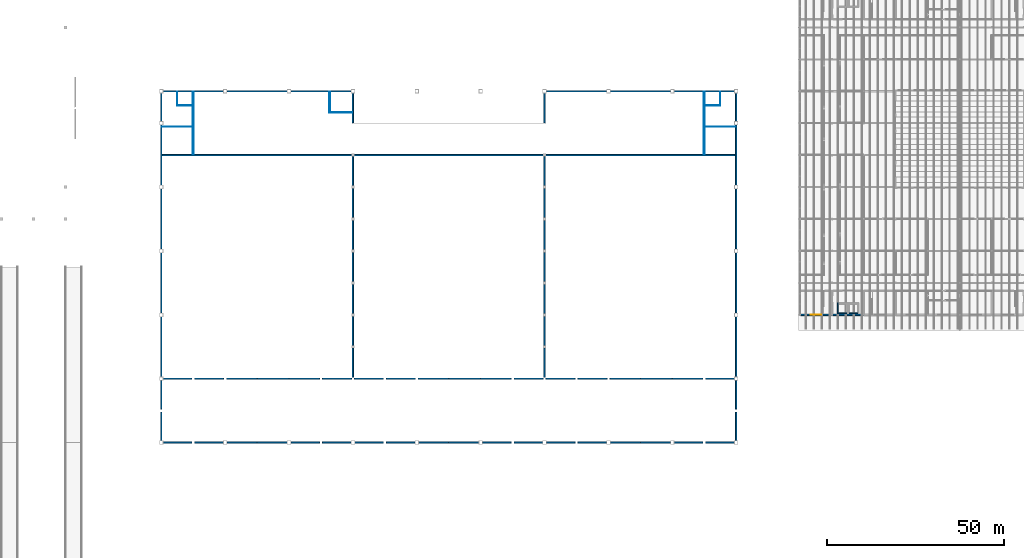
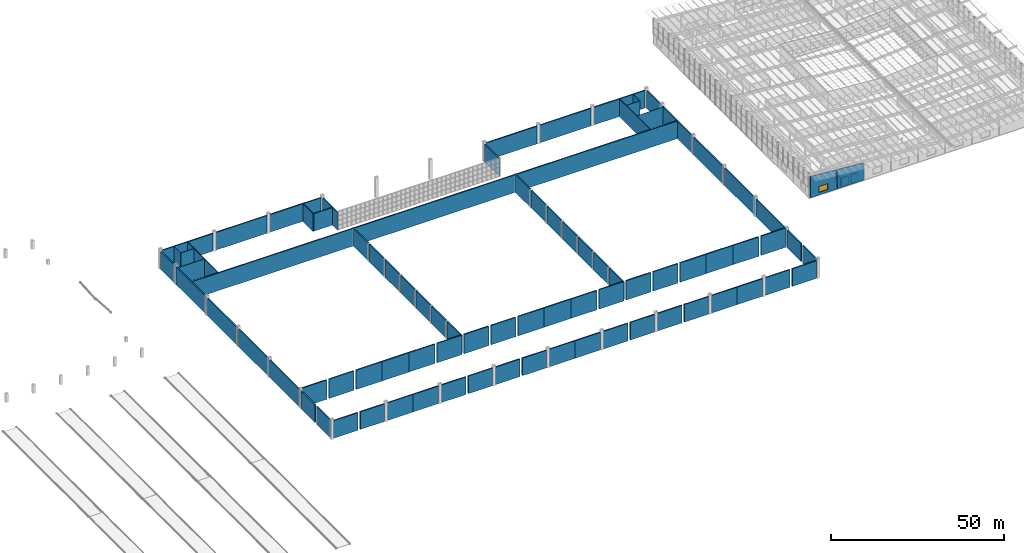
# One storey, part 69 of 85: 88 walls, 1 window, 1 opening.
"""IFC4 building model written with IfcOpenShell, lengths in metres."""

from ifc_helpers import new_model, si_unit, direction, frame, frame_2d, origin, place, context, subcontext, project, spatial, polyline, rectangle, outline, extrude, material, layer, layer_set, type_object, element, fill, save


model = new_model("IFC4")

# Units and contexts
model_context = context("Model", 3, precision=1e-05, world=origin(), true_north=direction((0.0, 1.0)))
body_context = subcontext(model_context, "Body", "Model", "MODEL_VIEW")
ifc_project = project(units=[si_unit("LENGTHUNIT", "METRE"), si_unit("AREAUNIT", "SQUARE_METRE"), si_unit("VOLUMEUNIT", "CUBIC_METRE"), si_unit("PLANEANGLEUNIT", "RADIAN"), si_unit("MASSUNIT", "GRAM", prefix="KILO")], contexts=[model_context])

# Site, building, storey
site_placement = place(None, origin())
site = spatial("IfcSite", under=ifc_project, at=site_placement, CompositionType="ELEMENT")
building_placement = place(site_placement, origin())
building = spatial("IfcBuilding", under=site, at=building_placement, Name="Opaline Strait Convention Centre", CompositionType="ELEMENT")
storey_placement = place(building_placement, frame((0.0, 0.0, 17.0)))
storey = spatial("IfcBuildingStorey", under=building, at=storey_placement, Name="L03", CompositionType="ELEMENT", Elevation=17.0)

# Wall, opening, window
ifc_material_1 = material(Name="Concrete C40 precast", Category="concrete")
ifc_layer_1 = layer(ifc_material_1, 0.10009765625)
ifc_material_2 = material(Name="Mineral wool insulation")
ifc_layer_2 = layer(ifc_material_2, 0.14990234375)
ifc_layer_3 = layer(ifc_material_1, 0.14990234375)
ifc_layer_set_1 = layer_set([ifc_layer_1, ifc_layer_2, ifc_layer_3], Name="Concrete C40 precast, Mineral wool insulation, Concrete C40 precast")
wall_type_1 = type_object("IfcWallType", Name="External wall 400 insulated precast EI60", PredefinedType="STANDARD", material=ifc_layer_set_1)
wall_1_placement = place(storey_placement, frame((279.14990234375, 90.0, 0.0), z_axis=(0.0, 0.0, 1.0), x_axis=(1.0, 0.0, 0.0)))
wall_1 = element("IfcWall", 1, at=wall_1_placement, inside=storey, type_object=wall_type_1, Name="External wall S L03 32/L", PredefinedType="STANDARD", context=body_context, shape_type="SweptSolid", body=[
    extrude(outline(polyline([(0.0, 0.0), (8.7001953125, 0.0), (8.699951171875, 6.844970703125), (0.0, 7.52978515625), (0.0, 0.0)])), frame((0.0, 0.199951171875, 0.0), z_axis=(0.0, -1.0, 0.0), x_axis=(1.0, 0.0, 0.0)), (0.0, 0.0, 1.0), 0.39990234375),
])
opening_placement = place(wall_1_placement, frame((2.85009765625, 0.0, 0.89990234375)))
opening = element("IfcOpeningElement", 2, at=opening_placement, cuts=wall_1, Name="Opening MW2", PredefinedType="OPENING", context=body_context, shape_type="SweptSolid", body=[
    extrude(rectangle(XDim=3.0, YDim=2.10009765625, at=frame_2d((1.5, 1.050048828125))), frame((0.0, 0.2099609375, 0.0), z_axis=(0.0, -1.0, 0.0), x_axis=(1.0, 0.0, 0.0)), (0.0, 0.0, 1.0), 0.419921875),
])
ifc_material_3 = material(Name="Aluminium framed double glazing", Category="aluminium")
window_type = type_object("IfcWindowType", Name="Window 3000 x 2100", PartitioningType="TRIPLE_PANEL_VERTICAL", PredefinedType="WINDOW", material=ifc_material_3)
window_placement = place(opening_placement, origin())
window = element("IfcWindow", 3, at=window_placement, inside=storey, type_object=window_type, Name="Window Escape Stair S1 S", OverallHeight=2.10009765625, OverallWidth=3.0, PartitioningType="TRIPLE_PANEL_VERTICAL", PredefinedType="WINDOW", context=body_context, shape_type="SweptSolid", body=[
    extrude(rectangle(XDim=3.0, YDim=2.10009765625, at=frame_2d((1.5, 1.050048828125))), frame((0.0, 0.030029296875, 0.0), z_axis=(0.0, -1.0, 0.0), x_axis=(1.0, 0.0, 0.0)), (0.0, 0.0, 1.0), 0.06005859375),
])
fill(opening, window)

# Walls
wall_2_placement = place(storey_placement, frame((288.14990234375, 90.0, 0.0), z_axis=(0.0, 0.0, 1.0), x_axis=(1.0, 0.0, 0.0)))
element("IfcWall", 4, at=wall_2_placement, inside=storey, type_object=wall_type_1, Name="External wall S L03 33/L", PredefinedType="STANDARD", context=body_context, shape_type="SweptSolid", body=[
    extrude(outline(polyline([(0.0, 0.0), (8.7001953125, 0.0), (8.699951171875, 6.13671875), (0.0, 6.821533203125), (0.0, 0.0)])), frame((0.0, 0.199951171875, 0.0), z_axis=(0.0, -1.0, 0.0), x_axis=(1.0, 0.0, 0.0)), (0.0, 0.0, 1.0), 0.39990234375),
])
ifc_material_4 = material(Name="Concrete C40", Category="concrete")
ifc_layer_4 = layer(ifc_material_4, 0.25)
ifc_layer_5 = layer(ifc_material_2, 0.10009765625)
ifc_material_5 = material(Name="Gypsum board lining")
ifc_layer_6 = layer(ifc_material_5, 0.050048828125)
ifc_layer_set_2 = layer_set([ifc_layer_4, ifc_layer_5, ifc_layer_6], Name="Concrete C40, Mineral wool insulation, Gypsum board lining")
wall_type_2 = type_object("IfcWallType", Name="External wall RC 400 insulated", PredefinedType="SOLIDWALL", material=ifc_layer_set_2)
for number, where, z_axis, x_axis, name in (
    (5, (99.5, 54.0, 0.0), (0.0, 0.0, 1.0), (1.0, 0.0, 0.0), "External wall S1"),
    (6, (108.39990234375, 54.0, 0.0), (0.0, 0.0, 1.0), (1.0, 0.0, 0.0), "External wall S2"),
):
    element("IfcWall", number, at=place(storey_placement, frame(where, z_axis=z_axis, x_axis=x_axis)), inside=storey, type_object=wall_type_2, Name=name, PredefinedType="SOLIDWALL", context=body_context, shape_type="SweptSolid", body=[
        extrude(rectangle(XDim=8.10009765625, YDim=0.39990234375, at=frame_2d((4.050048828125, 0.0))), origin(), (0.0, 0.0, 1.0), 6.199951171875),
    ])
for number, where, z_axis, x_axis, name in (
    (7, (117.5, 54.0, 0.0), (0.0, 0.0, 1.0), (1.0, 0.0, 0.0), "External wall S3"),
    (8, (126.0, 54.0, 0.0), (0.0, 0.0, 1.0), (1.0, 0.0, 0.0), "External wall S4"),
):
    element("IfcWall", number, at=place(storey_placement, frame(where, z_axis=z_axis, x_axis=x_axis)), inside=storey, type_object=wall_type_2, Name=name, PredefinedType="SOLIDWALL", context=body_context, shape_type="SweptSolid", body=[
        extrude(rectangle(XDim=8.5, YDim=0.39990234375, at=frame_2d((4.25, 0.0))), origin(), (0.0, 0.0, 1.0), 6.199951171875),
    ])
for number, where, z_axis, x_axis, name in (
    (9, (135.5, 54.0, 0.0), (0.0, 0.0, 1.0), (1.0, 0.0, 0.0), "External wall S5"),
    (10, (144.39990234375, 54.0, 0.0), (0.0, 0.0, 1.0), (1.0, 0.0, 0.0), "External wall S6"),
    (11, (153.5, 54.0, 0.0), (0.0, 0.0, 1.0), (1.0, 0.0, 0.0), "External wall S7"),
    (12, (162.39990234375, 54.0, 0.0), (0.0, 0.0, 1.0), (1.0, 0.0, 0.0), "External wall S8"),
):
    element("IfcWall", number, at=place(storey_placement, frame(where, z_axis=z_axis, x_axis=x_axis)), inside=storey, type_object=wall_type_2, Name=name, PredefinedType="SOLIDWALL", context=body_context, shape_type="SweptSolid", body=[
        extrude(rectangle(XDim=8.10009765625, YDim=0.39990234375, at=frame_2d((4.050048828125, 0.0))), origin(), (0.0, 0.0, 1.0), 6.199951171875),
    ])
for number, where, z_axis, x_axis, name in (
    (13, (171.5, 54.0, 0.0), (0.0, 0.0, 1.0), (1.0, 0.0, 0.0), "External wall S9"),
    (14, (180.0, 54.0, 0.0), (0.0, 0.0, 1.0), (1.0, 0.0, 0.0), "External wall S10"),
):
    element("IfcWall", number, at=place(storey_placement, frame(where, z_axis=z_axis, x_axis=x_axis)), inside=storey, type_object=wall_type_2, Name=name, PredefinedType="SOLIDWALL", context=body_context, shape_type="SweptSolid", body=[
        extrude(rectangle(XDim=8.5, YDim=0.39990234375, at=frame_2d((4.25, 0.0))), origin(), (0.0, 0.0, 1.0), 6.199951171875),
    ])
for number, where, z_axis, x_axis, name in (
    (15, (189.5, 54.0, 0.0), (0.0, 0.0, 1.0), (1.0, 0.0, 0.0), "External wall S11"),
    (16, (198.39990234375, 54.0, 0.0), (0.0, 0.0, 1.0), (1.0, 0.0, 0.0), "External wall S12"),
    (17, (207.5, 54.0, 0.0), (0.0, 0.0, 1.0), (1.0, 0.0, 0.0), "External wall S13"),
    (18, (216.39990234375, 54.0, 0.0), (0.0, 0.0, 1.0), (1.0, 0.0, 0.0), "External wall S14"),
):
    element("IfcWall", number, at=place(storey_placement, frame(where, z_axis=z_axis, x_axis=x_axis)), inside=storey, type_object=wall_type_2, Name=name, PredefinedType="SOLIDWALL", context=body_context, shape_type="SweptSolid", body=[
        extrude(rectangle(XDim=8.10009765625, YDim=0.39990234375, at=frame_2d((4.050048828125, 0.0))), origin(), (0.0, 0.0, 1.0), 6.199951171875),
    ])
for number, where, z_axis, x_axis, name in (
    (19, (225.5, 54.0, 0.0), (0.0, 0.0, 1.0), (1.0, 0.0, 0.0), "External wall S15"),
    (20, (234.0, 54.0, 0.0), (0.0, 0.0, 1.0), (1.0, 0.0, 0.0), "External wall S16"),
):
    element("IfcWall", number, at=place(storey_placement, frame(where, z_axis=z_axis, x_axis=x_axis)), inside=storey, type_object=wall_type_2, Name=name, PredefinedType="SOLIDWALL", context=body_context, shape_type="SweptSolid", body=[
        extrude(rectangle(XDim=8.5, YDim=0.39990234375, at=frame_2d((4.25, 0.0))), origin(), (0.0, 0.0, 1.0), 6.199951171875),
    ])
for number, where, z_axis, x_axis, name in (
    (21, (243.5, 54.0, 0.0), (0.0, 0.0, 1.0), (1.0, 0.0, 0.0), "External wall S17"),
    (22, (252.39990234375, 54.0, 0.0), (0.0, 0.0, 1.0), (1.0, 0.0, 0.0), "External wall S18"),
):
    element("IfcWall", number, at=place(storey_placement, frame(where, z_axis=z_axis, x_axis=x_axis)), inside=storey, type_object=wall_type_2, Name=name, PredefinedType="SOLIDWALL", context=body_context, shape_type="SweptSolid", body=[
        extrude(rectangle(XDim=8.10009765625, YDim=0.39990234375, at=frame_2d((4.050048828125, 0.0))), origin(), (0.0, 0.0, 1.0), 6.199951171875),
    ])
for number, where, z_axis, x_axis, name in (
    (23, (99.5, 153.0, 0.0), (0.0, 0.0, 1.0), (1.0, 0.0, 0.0), "External wall N1"),
    (24, (117.5, 153.0, 0.0), (0.0, 0.0, 1.0), (1.0, 0.0, 0.0), "External wall N2"),
    (25, (207.5, 153.0, 0.0), (0.0, 0.0, 1.0), (1.0, 0.0, 0.0), "External wall N4"),
    (26, (225.5, 153.0, 0.0), (0.0, 0.0, 1.0), (1.0, 0.0, 0.0), "External wall N5"),
    (27, (243.5, 153.0, 0.0), (0.0, 0.0, 1.0), (1.0, 0.0, 0.0), "External wall N6"),
):
    element("IfcWall", number, at=place(storey_placement, frame(where, z_axis=z_axis, x_axis=x_axis)), inside=storey, type_object=wall_type_2, Name=name, PredefinedType="SOLIDWALL", context=body_context, shape_type="SweptSolid", body=[
        extrude(rectangle(XDim=17.0, YDim=0.39990234375, at=frame_2d((8.5, 0.0))), origin(), (0.0, 0.0, 1.0), 6.199951171875),
    ])
wall_3_placement = place(storey_placement, frame((99.0, 54.5, 0.0), z_axis=(0.0, 0.0, 1.0), x_axis=(0.0, 1.0, 0.0)))
element("IfcWall", 28, at=wall_3_placement, inside=storey, type_object=wall_type_2, Name="External wall W1", PredefinedType="SOLIDWALL", context=body_context, shape_type="SweptSolid", body=[
    extrude(rectangle(XDim=8.10009765625, YDim=0.39990234375, at=frame_2d((4.050048828125, 0.0))), origin(), (0.0, 0.0, 1.0), 6.199951171875),
])
for number, where, z_axis, x_axis, name in (
    (29, (99.0, 72.5, 0.0), (0.0, 0.0, 1.0), (0.0, 1.0, 0.0), "External wall W3"),
    (30, (99.0, 90.5, 0.0), (0.0, 0.0, 1.0), (0.0, 1.0, 0.0), "External wall W4"),
    (31, (99.0, 108.5, 0.0), (0.0, 0.0, 1.0), (0.0, 1.0, 0.0), "External wall W5"),
    (32, (99.0, 126.5, 0.0), (0.0, 0.0, 1.0), (0.0, 1.0, 0.0), "External wall W6"),
):
    element("IfcWall", number, at=place(storey_placement, frame(where, z_axis=z_axis, x_axis=x_axis)), inside=storey, type_object=wall_type_2, Name=name, PredefinedType="SOLIDWALL", context=body_context, shape_type="SweptSolid", body=[
        extrude(rectangle(XDim=17.0, YDim=0.39990234375, at=frame_2d((8.5, 0.0))), origin(), (0.0, 0.0, 1.0), 6.199951171875),
    ])
wall_4_placement = place(storey_placement, frame((99.0, 144.5, 0.0), z_axis=(0.0, 0.0, 1.0), x_axis=(0.0, 1.0, 0.0)))
element("IfcWall", 33, at=wall_4_placement, inside=storey, type_object=wall_type_2, Name="External wall W7", PredefinedType="SOLIDWALL", context=body_context, shape_type="SweptSolid", body=[
    extrude(rectangle(XDim=8.0, YDim=0.39990234375, at=frame_2d((4.0, 0.0))), origin(), (0.0, 0.0, 1.0), 6.199951171875),
])
wall_5_placement = place(storey_placement, frame((261.0, 54.5, 0.0), z_axis=(0.0, 0.0, 1.0), x_axis=(0.0, 1.0, 0.0)))
element("IfcWall", 34, at=wall_5_placement, inside=storey, type_object=wall_type_2, Name="External wall E1", PredefinedType="SOLIDWALL", context=body_context, shape_type="SweptSolid", body=[
    extrude(rectangle(XDim=8.10009765625, YDim=0.39990234375, at=frame_2d((4.050048828125, 0.0))), origin(), (0.0, 0.0, 1.0), 6.199951171875),
])
for number, where, z_axis, x_axis, name in (
    (35, (261.0, 72.5, 0.0), (0.0, 0.0, 1.0), (0.0, 1.0, 0.0), "External wall E3"),
    (36, (261.0, 90.5, 0.0), (0.0, 0.0, 1.0), (0.0, 1.0, 0.0), "External wall E4"),
    (37, (261.0, 108.5, 0.0), (0.0, 0.0, 1.0), (0.0, 1.0, 0.0), "External wall E5"),
    (38, (261.0, 126.5, 0.0), (0.0, 0.0, 1.0), (0.0, 1.0, 0.0), "External wall E6"),
):
    element("IfcWall", number, at=place(storey_placement, frame(where, z_axis=z_axis, x_axis=x_axis)), inside=storey, type_object=wall_type_2, Name=name, PredefinedType="SOLIDWALL", context=body_context, shape_type="SweptSolid", body=[
        extrude(rectangle(XDim=17.0, YDim=0.39990234375, at=frame_2d((8.5, 0.0))), origin(), (0.0, 0.0, 1.0), 6.199951171875),
    ])
wall_6_placement = place(storey_placement, frame((261.0, 144.5, 0.0), z_axis=(0.0, 0.0, 1.0), x_axis=(0.0, 1.0, 0.0)))
element("IfcWall", 39, at=wall_6_placement, inside=storey, type_object=wall_type_2, Name="External wall E7", PredefinedType="SOLIDWALL", context=body_context, shape_type="SweptSolid", body=[
    extrude(rectangle(XDim=8.0, YDim=0.39990234375, at=frame_2d((4.0, 0.0))), origin(), (0.0, 0.0, 1.0), 6.199951171875),
])
wall_7_placement = place(storey_placement, frame((207.0, 144.030029296875, 0.0), z_axis=(0.0, 0.0, 1.0), x_axis=(0.0, 1.0, 0.0)))
element("IfcWall", 40, at=wall_7_placement, inside=storey, type_object=wall_type_2, Name="Recess side wall E", PredefinedType="SOLIDWALL", context=body_context, shape_type="SweptSolid", body=[
    extrude(rectangle(XDim=8.469970703125, YDim=0.39990234375, at=frame_2d((4.23486328125, 0.0))), origin(), (0.0, 0.0, 1.0), 6.199951171875),
])
ifc_layer_7 = layer(ifc_material_4, 0.300048828125)
ifc_layer_8 = layer(ifc_material_2, 0.050048828125)
ifc_layer_9 = layer(ifc_material_5, 0.050048828125)
ifc_layer_set_3 = layer_set([ifc_layer_7, ifc_layer_8, ifc_layer_9], Name="Concrete C40, Mineral wool insulation, Gypsum board lining")
wall_type_3 = type_object("IfcWallType", Name="External wall RC 400 stair core", PredefinedType="SOLIDWALL", material=ifc_layer_set_3)
wall_8_placement = place(storey_placement, frame((135.5, 153.0, 0.0), z_axis=(0.0, 0.0, 1.0), x_axis=(1.0, 0.0, 0.0)))
element("IfcWall", 41, at=wall_8_placement, inside=storey, type_object=wall_type_3, Name="External wall N3", PredefinedType="SOLIDWALL", context=body_context, shape_type="SweptSolid", body=[
    extrude(rectangle(XDim=17.0, YDim=0.39990234375, at=frame_2d((8.5, 0.0))), origin(), (0.0, 0.0, 1.0), 6.199951171875),
])
for number, where, z_axis, x_axis, name in (
    (42, (99.0, 63.39990234375, 0.0), (0.0, 0.0, 1.0), (0.0, 1.0, 0.0), "External wall W2"),
    (43, (261.0, 63.39990234375, 0.0), (0.0, 0.0, 1.0), (0.0, 1.0, 0.0), "External wall E2"),
):
    element("IfcWall", number, at=place(storey_placement, frame(where, z_axis=z_axis, x_axis=x_axis)), inside=storey, type_object=wall_type_3, Name=name, PredefinedType="SOLIDWALL", context=body_context, shape_type="SweptSolid", body=[
        extrude(rectangle(XDim=8.10009765625, YDim=0.39990234375, at=frame_2d((4.050048828125, 0.0))), origin(), (0.0, 0.0, 1.0), 6.199951171875),
    ])
wall_9_placement = place(storey_placement, frame((153.0, 144.030029296875, 0.0), z_axis=(0.0, 0.0, 1.0), x_axis=(0.0, 1.0, 0.0)))
element("IfcWall", 44, at=wall_9_placement, inside=storey, type_object=wall_type_3, Name="Recess side wall W", PredefinedType="SOLIDWALL", context=body_context, shape_type="SweptSolid", body=[
    extrude(rectangle(XDim=8.469970703125, YDim=0.39990234375, at=frame_2d((4.23486328125, 0.0))), origin(), (0.0, 0.0, 1.0), 6.199951171875),
])
ifc_layer_10 = layer(ifc_material_4, 0.39990234375)
ifc_layer_set_4 = layer_set([ifc_layer_10], Name="Concrete C40")
wall_type_4 = type_object("IfcWallType", Name="Fire wall RC 400 3 h", PredefinedType="SOLIDWALL", material=ifc_layer_set_4)
for number, where, z_axis, x_axis, name in (
    (45, (153.0, 72.39990234375, 0.0), (0.0, 0.0, 1.0), (0.0, 1.0, 0.0), "Fire wall 153 panel 1"),
    (46, (153.0, 81.39990234375, 0.0), (0.0, 0.0, 1.0), (0.0, 1.0, 0.0), "Fire wall 153 panel 2"),
    (47, (153.0, 90.39990234375, 0.0), (0.0, 0.0, 1.0), (0.0, 1.0, 0.0), "Fire wall 153 panel 3"),
    (48, (153.0, 99.39990234375, 0.0), (0.0, 0.0, 1.0), (0.0, 1.0, 0.0), "Fire wall 153 panel 4"),
    (49, (153.0, 108.39990234375, 0.0), (0.0, 0.0, 1.0), (0.0, 1.0, 0.0), "Fire wall 153 panel 5"),
    (50, (153.0, 117.39990234375, 0.0), (0.0, 0.0, 1.0), (0.0, 1.0, 0.0), "Fire wall 153 panel 6"),
    (51, (153.0, 126.39990234375, 0.0), (0.0, 0.0, 1.0), (0.0, 1.0, 0.0), "Fire wall 153 panel 7"),
    (52, (207.0, 72.39990234375, 0.0), (0.0, 0.0, 1.0), (0.0, 1.0, 0.0), "Fire wall 207 panel 1"),
    (53, (207.0, 81.39990234375, 0.0), (0.0, 0.0, 1.0), (0.0, 1.0, 0.0), "Fire wall 207 panel 2"),
    (54, (207.0, 90.39990234375, 0.0), (0.0, 0.0, 1.0), (0.0, 1.0, 0.0), "Fire wall 207 panel 3"),
    (55, (207.0, 99.39990234375, 0.0), (0.0, 0.0, 1.0), (0.0, 1.0, 0.0), "Fire wall 207 panel 4"),
    (56, (207.0, 108.39990234375, 0.0), (0.0, 0.0, 1.0), (0.0, 1.0, 0.0), "Fire wall 207 panel 5"),
    (57, (207.0, 117.39990234375, 0.0), (0.0, 0.0, 1.0), (0.0, 1.0, 0.0), "Fire wall 207 panel 6"),
    (58, (207.0, 126.39990234375, 0.0), (0.0, 0.0, 1.0), (0.0, 1.0, 0.0), "Fire wall 207 panel 7"),
):
    element("IfcWall", number, at=place(storey_placement, frame(where, z_axis=z_axis, x_axis=x_axis)), inside=storey, type_object=wall_type_4, Name=name, PredefinedType="SOLIDWALL", context=body_context, shape_type="SweptSolid", body=[
        extrude(rectangle(XDim=8.2001953125, YDim=0.39990234375, at=frame_2d((4.10009765625, 0.0))), origin(), (0.0, 0.0, 1.0), 6.199951171875),
    ])
ifc_layer_11 = layer(ifc_material_4, 0.300048828125)
ifc_material_6 = material(Name="Cement plaster")
ifc_layer_12 = layer(ifc_material_6, 0.050048828125)
ifc_layer_13 = layer(ifc_material_6, 0.050048828125)
ifc_layer_set_5 = layer_set([ifc_layer_11, ifc_layer_12, ifc_layer_13], Name="Concrete C40, Cement plaster, Cement plaster")
wall_type_5 = type_object("IfcWallType", Name="Hall compartment wall 400", PredefinedType="SOLIDWALL", material=ifc_layer_set_5)
wall_10_placement = place(storey_placement, frame((99.5, 72.0, 0.0), z_axis=(0.0, 0.0, 1.0), x_axis=(1.0, 0.0, 0.0)))
element("IfcWall", 59, at=wall_10_placement, inside=storey, type_object=wall_type_5, Name="Hall south wall", PredefinedType="SOLIDWALL", context=body_context, shape_type="SweptSolid", body=[
    extrude(rectangle(XDim=8.10009765625, YDim=0.39990234375, at=frame_2d((4.050048828125, 0.0))), origin(), (0.0, 0.0, 1.0), 6.8125),
])
wall_11_placement = place(storey_placement, frame((108.39990234375, 72.0, 0.0), z_axis=(0.0, 0.0, 1.0), x_axis=(1.0, 0.0, 0.0)))
element("IfcWall", 60, at=wall_11_placement, inside=storey, type_object=wall_type_5, Name="Hall south wall", PredefinedType="SOLIDWALL", context=body_context, shape_type="SweptSolid", body=[
    extrude(rectangle(XDim=8.2001953125, YDim=0.39990234375, at=frame_2d((4.10009765625, 0.0))), origin(), (0.0, 0.0, 1.0), 6.8125),
])
wall_12_placement = place(storey_placement, frame((117.39990234375, 72.0, 0.0), z_axis=(0.0, 0.0, 1.0), x_axis=(1.0, 0.0, 0.0)))
element("IfcWall", 61, at=wall_12_placement, inside=storey, type_object=wall_type_5, Name="Hall south wall", PredefinedType="SOLIDWALL", context=body_context, shape_type="SweptSolid", body=[
    extrude(rectangle(XDim=8.60009765625, YDim=0.39990234375, at=frame_2d((4.300048828125, 0.0))), origin(), (0.0, 0.0, 1.0), 6.825439453125),
])
wall_13_placement = place(storey_placement, frame((126.0, 72.0, 0.0), z_axis=(0.0, 0.0, 1.0), x_axis=(1.0, 0.0, 0.0)))
element("IfcWall", 62, at=wall_13_placement, inside=storey, type_object=wall_type_5, Name="Hall south wall", PredefinedType="SOLIDWALL", context=body_context, shape_type="SweptSolid", body=[
    extrude(rectangle(XDim=9.0, YDim=0.39990234375, at=frame_2d((4.5, 0.0))), origin(), (0.0, 0.0, 1.0), 6.825439453125),
])
wall_14_placement = place(storey_placement, frame((135.0, 72.0, 0.0), z_axis=(0.0, 0.0, 1.0), x_axis=(1.0, 0.0, 0.0)))
element("IfcWall", 63, at=wall_14_placement, inside=storey, type_object=wall_type_5, Name="Hall south wall", PredefinedType="SOLIDWALL", context=body_context, shape_type="SweptSolid", body=[
    extrude(rectangle(XDim=8.60009765625, YDim=0.39990234375, at=frame_2d((4.300048828125, 0.0))), origin(), (0.0, 0.0, 1.0), 6.825439453125),
])
for number, where, z_axis, x_axis, name in (
    (64, (144.39990234375, 72.0, 0.0), (0.0, 0.0, 1.0), (1.0, 0.0, 0.0), "Hall south wall"),
    (65, (153.39990234375, 72.0, 0.0), (0.0, 0.0, 1.0), (1.0, 0.0, 0.0), "Hall south wall"),
    (66, (162.39990234375, 72.0, 0.0), (0.0, 0.0, 1.0), (1.0, 0.0, 0.0), "Hall south wall"),
):
    element("IfcWall", number, at=place(storey_placement, frame(where, z_axis=z_axis, x_axis=x_axis)), inside=storey, type_object=wall_type_5, Name=name, PredefinedType="SOLIDWALL", context=body_context, shape_type="SweptSolid", body=[
        extrude(rectangle(XDim=8.2001953125, YDim=0.39990234375, at=frame_2d((4.10009765625, 0.0))), origin(), (0.0, 0.0, 1.0), 6.825439453125),
    ])
wall_15_placement = place(storey_placement, frame((171.39990234375, 72.0, 0.0), z_axis=(0.0, 0.0, 1.0), x_axis=(1.0, 0.0, 0.0)))
element("IfcWall", 67, at=wall_15_placement, inside=storey, type_object=wall_type_5, Name="Hall south wall", PredefinedType="SOLIDWALL", context=body_context, shape_type="SweptSolid", body=[
    extrude(rectangle(XDim=8.60009765625, YDim=0.39990234375, at=frame_2d((4.300048828125, 0.0))), origin(), (0.0, 0.0, 1.0), 6.825439453125),
])
wall_16_placement = place(storey_placement, frame((180.0, 72.0, 0.0), z_axis=(0.0, 0.0, 1.0), x_axis=(1.0, 0.0, 0.0)))
element("IfcWall", 68, at=wall_16_placement, inside=storey, type_object=wall_type_5, Name="Hall south wall", PredefinedType="SOLIDWALL", context=body_context, shape_type="SweptSolid", body=[
    extrude(rectangle(XDim=9.0, YDim=0.39990234375, at=frame_2d((4.5, 0.0))), origin(), (0.0, 0.0, 1.0), 6.825439453125),
])
wall_17_placement = place(storey_placement, frame((189.0, 72.0, 0.0), z_axis=(0.0, 0.0, 1.0), x_axis=(1.0, 0.0, 0.0)))
element("IfcWall", 69, at=wall_17_placement, inside=storey, type_object=wall_type_5, Name="Hall south wall", PredefinedType="SOLIDWALL", context=body_context, shape_type="SweptSolid", body=[
    extrude(rectangle(XDim=8.60009765625, YDim=0.39990234375, at=frame_2d((4.300048828125, 0.0))), origin(), (0.0, 0.0, 1.0), 6.825439453125),
])
for number, where, z_axis, x_axis, name in (
    (70, (198.39990234375, 72.0, 0.0), (0.0, 0.0, 1.0), (1.0, 0.0, 0.0), "Hall south wall"),
    (71, (207.39990234375, 72.0, 0.0), (0.0, 0.0, 1.0), (1.0, 0.0, 0.0), "Hall south wall"),
    (72, (216.39990234375, 72.0, 0.0), (0.0, 0.0, 1.0), (1.0, 0.0, 0.0), "Hall south wall"),
):
    element("IfcWall", number, at=place(storey_placement, frame(where, z_axis=z_axis, x_axis=x_axis)), inside=storey, type_object=wall_type_5, Name=name, PredefinedType="SOLIDWALL", context=body_context, shape_type="SweptSolid", body=[
        extrude(rectangle(XDim=8.2001953125, YDim=0.39990234375, at=frame_2d((4.10009765625, 0.0))), origin(), (0.0, 0.0, 1.0), 6.825439453125),
    ])
wall_18_placement = place(storey_placement, frame((225.39990234375, 72.0, 0.0), z_axis=(0.0, 0.0, 1.0), x_axis=(1.0, 0.0, 0.0)))
element("IfcWall", 73, at=wall_18_placement, inside=storey, type_object=wall_type_5, Name="Hall south wall", PredefinedType="SOLIDWALL", context=body_context, shape_type="SweptSolid", body=[
    extrude(rectangle(XDim=8.60009765625, YDim=0.39990234375, at=frame_2d((4.300048828125, 0.0))), origin(), (0.0, 0.0, 1.0), 6.825439453125),
])
wall_19_placement = place(storey_placement, frame((234.0, 72.0, 0.0), z_axis=(0.0, 0.0, 1.0), x_axis=(1.0, 0.0, 0.0)))
element("IfcWall", 74, at=wall_19_placement, inside=storey, type_object=wall_type_5, Name="Hall south wall", PredefinedType="SOLIDWALL", context=body_context, shape_type="SweptSolid", body=[
    extrude(rectangle(XDim=9.0, YDim=0.39990234375, at=frame_2d((4.5, 0.0))), origin(), (0.0, 0.0, 1.0), 6.825439453125),
])
wall_20_placement = place(storey_placement, frame((243.0, 72.0, 0.0), z_axis=(0.0, 0.0, 1.0), x_axis=(1.0, 0.0, 0.0)))
element("IfcWall", 75, at=wall_20_placement, inside=storey, type_object=wall_type_5, Name="Hall south wall", PredefinedType="SOLIDWALL", context=body_context, shape_type="SweptSolid", body=[
    extrude(rectangle(XDim=8.60009765625, YDim=0.39990234375, at=frame_2d((4.300048828125, 0.0))), origin(), (0.0, 0.0, 1.0), 6.8125),
])
wall_21_placement = place(storey_placement, frame((252.39990234375, 72.0, 0.0), z_axis=(0.0, 0.0, 1.0), x_axis=(1.0, 0.0, 0.0)))
element("IfcWall", 76, at=wall_21_placement, inside=storey, type_object=wall_type_5, Name="Hall south wall", PredefinedType="SOLIDWALL", context=body_context, shape_type="SweptSolid", body=[
    extrude(rectangle(XDim=8.10009765625, YDim=0.39990234375, at=frame_2d((4.050048828125, 0.0))), origin(), (0.0, 0.0, 1.0), 6.8125),
])
wall_22_placement = place(storey_placement, frame((99.199951171875, 135.0, 0.0), z_axis=(0.0, 0.0, 1.0), x_axis=(1.0, 0.0, 0.0)))
element("IfcWall", 77, at=wall_22_placement, inside=storey, type_object=wall_type_5, Name="Hall north wall", PredefinedType="SOLIDWALL", context=body_context, shape_type="SweptSolid", body=[
    extrude(rectangle(XDim=161.60009765625, YDim=0.39990234375, at=frame_2d((80.800048828125, 0.0))), origin(), (0.0, 0.0, 1.0), 6.199951171875),
])
ifc_material_7 = material(Name="Lightweight blockwork", Category="masonry")
ifc_layer_14 = layer(ifc_material_7, 0.25)
ifc_layer_set_6 = layer_set([ifc_layer_14], Name="Lightweight blockwork")
wall_type_6 = type_object("IfcWallType", Name="Partition EI 120 blockwork 250", PredefinedType="PARTITIONING", material=ifc_layer_set_6)
wall_23_placement = place(storey_placement, frame((146.5, 146.875, 0.0), z_axis=(0.0, 0.0, 1.0), x_axis=(0.0, 1.0, 0.0)))
element("IfcWall", 78, at=wall_23_placement, inside=storey, type_object=wall_type_6, Name="Fire control room west wall", PredefinedType="PARTITIONING", context=body_context, shape_type="SweptSolid", body=[
    extrude(rectangle(XDim=5.925048828125, YDim=0.25, at=frame_2d((2.96240234375, 0.0))), origin(), (0.0, 0.0, 1.0), 6.199951171875),
])
wall_24_placement = place(storey_placement, frame((146.625, 147.0, 0.0), z_axis=(0.0, 0.0, 1.0), x_axis=(1.0, 0.0, 0.0)))
element("IfcWall", 79, at=wall_24_placement, inside=storey, type_object=wall_type_6, Name="Fire control room south wall", PredefinedType="PARTITIONING", context=body_context, shape_type="SweptSolid", body=[
    extrude(rectangle(XDim=6.175048828125, YDim=0.25, at=frame_2d((3.08740234375, 0.0))), origin(), (0.0, 0.0, 1.0), 6.199951171875),
])
ifc_layer_15 = layer(ifc_material_7, 0.199951171875)
ifc_layer_set_7 = layer_set([ifc_layer_15], Name="Lightweight blockwork")
wall_type_7 = type_object("IfcWallType", Name="Partition EI 60 blockwork 200", PredefinedType="PARTITIONING", material=ifc_layer_set_7)
for number, where, z_axis, x_axis, name in (
    (80, (108.0, 135.199951171875, 0.0), (0.0, 0.0, 1.0), (0.0, 1.0, 0.0), "WC block front wall"),
    (81, (252.0, 135.199951171875, 0.0), (0.0, 0.0, 1.0), (0.0, 1.0, 0.0), "WC block front wall"),
):
    element("IfcWall", number, at=place(storey_placement, frame(where, z_axis=z_axis, x_axis=x_axis)), inside=storey, type_object=wall_type_7, Name=name, PredefinedType="PARTITIONING", context=body_context, shape_type="SweptSolid", body=[
        extrude(rectangle(XDim=17.60009765625, YDim=0.199951171875, at=frame_2d((8.800048828125, 0.0))), origin(), (0.0, 0.0, 1.0), 6.199951171875),
    ])
ifc_layer_16 = layer(ifc_material_4, 0.300048828125)
ifc_layer_set_8 = layer_set([ifc_layer_16], Name="Concrete C40")
wall_type_8 = type_object("IfcWallType", Name="RC lift shaft wall 300 C40", PredefinedType="SHEAR", material=ifc_layer_set_8)
wall_25_placement = place(storey_placement, frame((289.64990234375, 90.25, 0.0), z_axis=(0.0, 0.0, 1.0), x_axis=(0.0, 1.0, 0.0)))
element("IfcWall", 82, at=wall_25_placement, inside=storey, type_object=wall_type_8, Name="Lift shaft SW1 wall L03", PredefinedType="SHEAR", context=body_context, shape_type="SweptSolid", body=[
    extrude(rectangle(XDim=3.10009765625, YDim=0.300048828125, at=frame_2d((1.550048828125, 0.0))), origin(), (0.0, 0.0, 1.0), 3.0),
])
for number, where, z_axis, x_axis, name in (
    (83, (289.800048828125, 90.39990234375, 0.0), (0.0, 0.0, 1.0), (1.0, 0.0, 0.0), "Lift shaft SW1 wall L03"),
    (84, (292.89990234375, 90.39990234375, 0.0), (0.0, 0.0, 1.0), (1.0, 0.0, 0.0), "Lift shaft SW2 wall L03"),
):
    element("IfcWall", number, at=place(storey_placement, frame(where, z_axis=z_axis, x_axis=x_axis)), inside=storey, type_object=wall_type_8, Name=name, PredefinedType="SHEAR", context=body_context, shape_type="SweptSolid", body=[
        extrude(rectangle(XDim=2.300048828125, YDim=0.300048828125, at=frame_2d((1.14990234375, 0.0))), origin(), (0.0, 0.0, 1.0), 3.0),
    ])
ifc_material_8 = material(Name="Gypsum board partition")
ifc_layer_17 = layer(ifc_material_8, 0.10009765625)
ifc_layer_set_9 = layer_set([ifc_layer_17], Name="Gypsum board partition")
wall_type_9 = type_object("IfcWallType", Name="WC partition gypsum 100", PredefinedType="PARTITIONING", material=ifc_layer_set_9)
wall_26_placement = place(storey_placement, frame((99.199951171875, 143.0, 0.0), z_axis=(0.0, 0.0, 1.0), x_axis=(1.0, 0.0, 0.0)))
element("IfcWall", 85, at=wall_26_placement, inside=storey, type_object=wall_type_9, Name="WC partition", PredefinedType="PARTITIONING", context=body_context, shape_type="SweptSolid", body=[
    extrude(rectangle(XDim=8.699951171875, YDim=0.10009765625, at=frame_2d((4.35009765625, 0.0))), origin(), (0.0, 0.0, 1.0), 6.199951171875),
])
wall_27_placement = place(storey_placement, frame((103.5, 149.0, 0.0), z_axis=(0.0, 0.0, 1.0), x_axis=(1.0, 0.0, 0.0)))
element("IfcWall", 86, at=wall_27_placement, inside=storey, type_object=wall_type_9, Name="WC partition", PredefinedType="PARTITIONING", context=body_context, shape_type="SweptSolid", body=[
    extrude(rectangle(XDim=4.39990234375, YDim=0.10009765625, at=frame_2d((2.199951171875, 0.0))), origin(), (0.0, 0.0, 1.0), 6.199951171875),
])
wall_28_placement = place(storey_placement, frame((103.5, 149.10009765625, 0.0), z_axis=(0.0, 0.0, 1.0), x_axis=(0.0, 1.0, 0.0)))
element("IfcWall", 87, at=wall_28_placement, inside=storey, type_object=wall_type_9, Name="WC partition", PredefinedType="PARTITIONING", context=body_context, shape_type="SweptSolid", body=[
    extrude(rectangle(XDim=3.699951171875, YDim=0.10009765625, at=frame_2d((1.85009765625, 0.0))), origin(), (0.0, 0.0, 1.0), 6.199951171875),
])
wall_29_placement = place(storey_placement, frame((260.800048828125, 143.0, 0.0), z_axis=(0.0, 0.0, 1.0), x_axis=(-1.0, 0.0, 0.0)))
element("IfcWall", 88, at=wall_29_placement, inside=storey, type_object=wall_type_9, Name="WC partition", PredefinedType="PARTITIONING", context=body_context, shape_type="SweptSolid", body=[
    extrude(rectangle(XDim=8.900146484375, YDim=0.10009765625, at=frame_2d((4.4501953125, 0.0))), origin(), (0.0, 0.0, 1.0), 6.199951171875),
])
wall_30_placement = place(storey_placement, frame((256.5, 149.0, 0.0), z_axis=(0.0, 0.0, 1.0), x_axis=(-1.0, 0.0, 0.0)))
element("IfcWall", 89, at=wall_30_placement, inside=storey, type_object=wall_type_9, Name="WC partition", PredefinedType="PARTITIONING", context=body_context, shape_type="SweptSolid", body=[
    extrude(rectangle(XDim=4.60009765625, YDim=0.10009765625, at=frame_2d((2.300048828125, 0.0))), origin(), (0.0, 0.0, 1.0), 6.199951171875),
])
wall_31_placement = place(storey_placement, frame((256.5, 149.10009765625, 0.0), z_axis=(0.0, 0.0, 1.0), x_axis=(0.0, 1.0, 0.0)))
element("IfcWall", 90, at=wall_31_placement, inside=storey, type_object=wall_type_9, Name="WC partition", PredefinedType="PARTITIONING", context=body_context, shape_type="SweptSolid", body=[
    extrude(rectangle(XDim=3.699951171875, YDim=0.10009765625, at=frame_2d((1.85009765625, 0.0))), origin(), (0.0, 0.0, 1.0), 6.199951171875),
])

save(model, "model.ifc")
